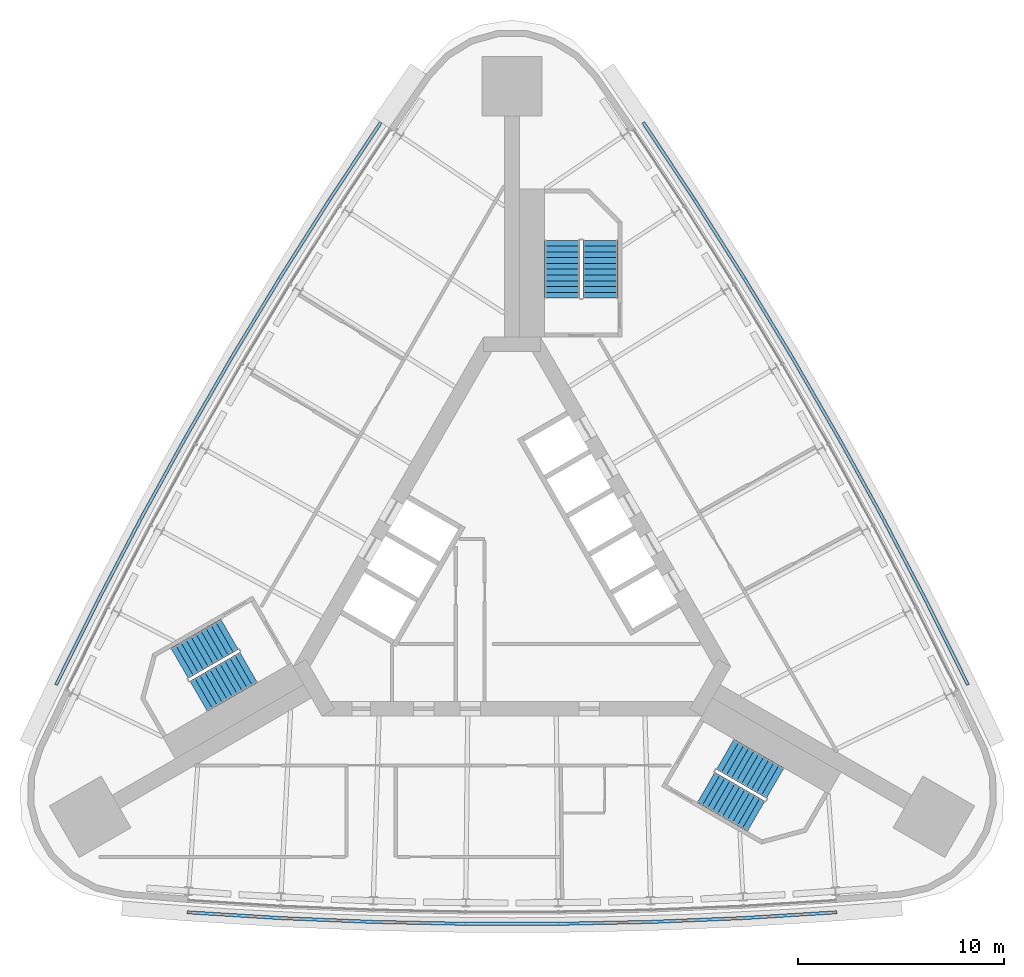
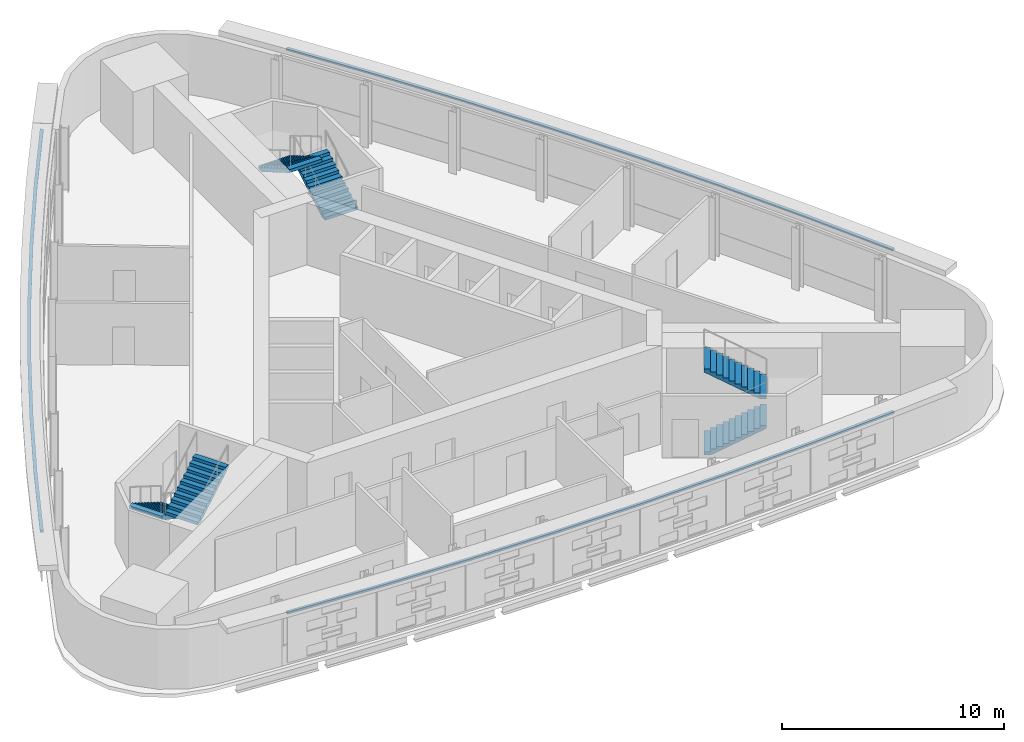
# One storey, part 10 of 12: 6 stair flights, 3 discrete accessories, 3 elements without a shape of their own.
"""IFC4 building model written with IfcOpenShell, lengths in metres."""

from ifc_helpers import new_model, si_unit, direction, frame, origin, place, context, subcontext, project, spatial, polyline, outline, extrude, material, type_object, element, aggregate, save


model = new_model("IFC4")

# Units and contexts
model_context = context("Model", 3, precision=1e-05, world=origin(), true_north=direction((0.0, 1.0)))
body_context = subcontext(model_context, "Body", "Model", "MODEL_VIEW")
ifc_project = project(units=[si_unit("LENGTHUNIT", "METRE"), si_unit("AREAUNIT", "SQUARE_METRE"), si_unit("VOLUMEUNIT", "CUBIC_METRE"), si_unit("PLANEANGLEUNIT", "RADIAN"), si_unit("MASSUNIT", "GRAM", prefix="KILO")], contexts=[model_context])

# Site, building, storey
site_placement = place(None, origin())
site = spatial("IfcSite", under=ifc_project, at=site_placement, CompositionType="ELEMENT")
building_placement = place(site_placement, origin())
building = spatial("IfcBuilding", under=site, at=building_placement, Name="Noor Cloister Tower", CompositionType="ELEMENT")
storey_placement = place(building_placement, frame((0.0, 0.0, 150.89990234375)))
storey = spatial("IfcBuildingStorey", under=building, at=storey_placement, Name="L38", CompositionType="ELEMENT", Elevation=150.89990234375)

# Stair, stair flights
ifc_material_1 = material(Name="Concrete C40/50", Category="concrete")
stair_type = type_object("IfcStairType", Name="Exit stair 22 risers", PredefinedType="HALF_TURN_STAIR", material=ifc_material_1)
stair_1_placement = place(storey_placement, origin())
stair_1 = element("IfcStair", 1, at=stair_1_placement, inside=storey, type_object=stair_type, Name="Exit stair ST1 L38", PredefinedType="HALF_TURN_STAIR")
ifc_material_2 = material(Name="Concrete C40/50", Category="concrete")
stair_flight_type = type_object("IfcStairFlightType", Name="Exit stair flight", PredefinedType="STRAIGHT", material=ifc_material_2)
stair_flight_1_placement = place(storey_placement, frame((4.28564453125, 13.3564453125, 0.0), z_axis=(0.0, 0.0, 1.0), x_axis=(0.0, 1.0, 0.0)))
stair_flight_1 = element("IfcStairFlight", 2, at=stair_flight_1_placement, type_object=stair_flight_type, Name="ST1 flight 1", NumberOfRisers=11, NumberOfTreads=10, PredefinedType="STRAIGHT", RiserHeight=0.163636364, TreadLength=0.28, context=body_context, shape_type="SweptSolid", body=[
    extrude(outline(polyline([(0.0, 0.0), (0.0, 0.16357421875), (0.280029296875, 0.16357421875), (0.280029296875, 0.327392578125), (0.56005859375, 0.327392578125), (0.56005859375, 0.490966796875), (0.840087890625, 0.490966796875), (0.840087890625, 0.654541015625), (1.1201171875, 0.654541015625), (1.1201171875, 0.818115234375), (1.39990234375, 0.818115234375), (1.39990234375, 0.98193359375), (1.679931640625, 0.98193359375), (1.679931640625, 1.1455078125), (1.9599609375, 1.1455078125), (1.9599609375, 1.30908203125), (2.239990234375, 1.30908203125), (2.239990234375, 1.47265625), (2.52001953125, 1.47265625), (2.52001953125, 1.636474609375), (2.800048828125, 1.636474609375), (2.800048828125, 1.800048828125), (2.800048828125, 1.462646484375), (0.297119140625, 0.0), (0.0, 0.0)])), frame((0.0, 0.85009765625, 0.0), z_axis=(0.0, -1.0, 0.0), x_axis=(1.0, 0.0, 0.0)), (0.0, 0.0, 1.0), 1.699951171875),
])
stair_flight_2_placement = place(storey_placement, frame((2.435546875, 16.156494140625, 1.800048828125), z_axis=(0.0, 0.0, 1.0), x_axis=(0.0, -1.0, 0.0)))
stair_flight_2 = element("IfcStairFlight", 3, at=stair_flight_2_placement, type_object=stair_flight_type, Name="ST1 flight 2", NumberOfRisers=11, NumberOfTreads=10, PredefinedType="STRAIGHT", RiserHeight=0.163636364, TreadLength=0.28, context=body_context, shape_type="SweptSolid", body=[
    extrude(outline(polyline([(0.0, 0.0), (0.0, 0.16357421875), (0.280029296875, 0.16357421875), (0.280029296875, 0.327392578125), (0.56005859375, 0.327392578125), (0.56005859375, 0.490966796875), (0.840087890625, 0.490966796875), (0.840087890625, 0.654541015625), (1.1201171875, 0.654541015625), (1.1201171875, 0.818115234375), (1.39990234375, 0.818115234375), (1.39990234375, 0.98193359375), (1.679931640625, 0.98193359375), (1.679931640625, 1.1455078125), (1.9599609375, 1.1455078125), (1.9599609375, 1.30908203125), (2.239990234375, 1.30908203125), (2.239990234375, 1.47265625), (2.52001953125, 1.47265625), (2.52001953125, 1.636474609375), (2.800048828125, 1.636474609375), (2.800048828125, 1.800048828125), (2.800048828125, 1.462646484375), (0.297119140625, 0.0), (0.0, 0.0)])), frame((0.0, 0.85009765625, 0.0), z_axis=(0.0, -1.0, 0.0), x_axis=(1.0, 0.0, 0.0)), (0.0, 0.0, 1.0), 1.699951171875),
])
aggregate(stair_1, [stair_flight_1, stair_flight_2])

stair_2_placement = place(storey_placement, origin())
stair_2 = element("IfcStair", 4, at=stair_2_placement, inside=storey, type_object=stair_type, Name="Exit stair ST2 L38", PredefinedType="HALF_TURN_STAIR")
stair_flight_3_placement = place(storey_placement, frame((-13.709716796875, -2.966796875, 0.0), z_axis=(0.0, 0.0, 1.0), x_axis=(-0.866025403784, -0.5, 0.0)))
stair_flight_3 = element("IfcStairFlight", 5, at=stair_flight_3_placement, type_object=stair_flight_type, Name="ST2 flight 1", NumberOfRisers=11, NumberOfTreads=10, PredefinedType="STRAIGHT", RiserHeight=0.163636364, TreadLength=0.28, context=body_context, shape_type="SweptSolid", body=[
    extrude(outline(polyline([(0.0, 0.0), (0.0, 0.16357421875), (0.280029296875, 0.16357421875), (0.280029296875, 0.327392578125), (0.56005859375, 0.327392578125), (0.56005859375, 0.490966796875), (0.840087890625, 0.490966796875), (0.840087890625, 0.654541015625), (1.1201171875, 0.654541015625), (1.1201171875, 0.818115234375), (1.39990234375, 0.818115234375), (1.39990234375, 0.98193359375), (1.679931640625, 0.98193359375), (1.679931640625, 1.1455078125), (1.9599609375, 1.1455078125), (1.9599609375, 1.30908203125), (2.239990234375, 1.30908203125), (2.239990234375, 1.47265625), (2.52001953125, 1.47265625), (2.52001953125, 1.636474609375), (2.800048828125, 1.636474609375), (2.800048828125, 1.800048828125), (2.800048828125, 1.462646484375), (0.297119140625, 0.0), (0.0, 0.0)])), frame((0.0, 0.85009765625, 0.0), z_axis=(0.0, -1.0, 0.0), x_axis=(1.0, 0.0, 0.0)), (0.0, 0.0, 1.0), 1.699951171875),
])
stair_flight_4_placement = place(storey_placement, frame((-15.209716796875, -5.968994140625, 1.800048828125), z_axis=(0.0, 0.0, 1.0), x_axis=(0.866025403784, 0.5, 0.0)))
stair_flight_4 = element("IfcStairFlight", 6, at=stair_flight_4_placement, type_object=stair_flight_type, Name="ST2 flight 2", NumberOfRisers=11, NumberOfTreads=10, PredefinedType="STRAIGHT", RiserHeight=0.163636364, TreadLength=0.28, context=body_context, shape_type="SweptSolid", body=[
    extrude(outline(polyline([(0.0, 0.0), (0.0, 0.16357421875), (0.280029296875, 0.16357421875), (0.280029296875, 0.327392578125), (0.56005859375, 0.327392578125), (0.56005859375, 0.490966796875), (0.840087890625, 0.490966796875), (0.840087890625, 0.654541015625), (1.1201171875, 0.654541015625), (1.1201171875, 0.818115234375), (1.39990234375, 0.818115234375), (1.39990234375, 0.98193359375), (1.679931640625, 0.98193359375), (1.679931640625, 1.1455078125), (1.9599609375, 1.1455078125), (1.9599609375, 1.30908203125), (2.239990234375, 1.30908203125), (2.239990234375, 1.47265625), (2.52001953125, 1.47265625), (2.52001953125, 1.636474609375), (2.800048828125, 1.636474609375), (2.800048828125, 1.800048828125), (2.800048828125, 1.462646484375), (0.297119140625, 0.0), (0.0, 0.0)])), frame((0.0, 0.85009765625, 0.0), z_axis=(0.0, -1.0, 0.0), x_axis=(1.0, 0.0, 0.0)), (0.0, 0.0, 1.0), 1.699951171875),
])
aggregate(stair_2, [stair_flight_3, stair_flight_4])

stair_3_placement = place(storey_placement, origin())
stair_3 = element("IfcStair", 7, at=stair_3_placement, inside=storey, type_object=stair_type, Name="Exit stair ST3 L38", PredefinedType="HALF_TURN_STAIR")
stair_flight_5_placement = place(storey_placement, frame((9.424072265625, -10.3896484375, 0.0), z_axis=(0.0, 0.0, 1.0), x_axis=(0.866025403784, -0.5, 0.0)))
stair_flight_5 = element("IfcStairFlight", 8, at=stair_flight_5_placement, type_object=stair_flight_type, Name="ST3 flight 1", NumberOfRisers=11, NumberOfTreads=10, PredefinedType="STRAIGHT", RiserHeight=0.163636364, TreadLength=0.28, context=body_context, shape_type="SweptSolid", body=[
    extrude(outline(polyline([(0.0, 0.0), (0.0, 0.16357421875), (0.280029296875, 0.16357421875), (0.280029296875, 0.327392578125), (0.56005859375, 0.327392578125), (0.56005859375, 0.490966796875), (0.840087890625, 0.490966796875), (0.840087890625, 0.654541015625), (1.1201171875, 0.654541015625), (1.1201171875, 0.818115234375), (1.39990234375, 0.818115234375), (1.39990234375, 0.98193359375), (1.679931640625, 0.98193359375), (1.679931640625, 1.1455078125), (1.9599609375, 1.1455078125), (1.9599609375, 1.30908203125), (2.239990234375, 1.30908203125), (2.239990234375, 1.47265625), (2.52001953125, 1.47265625), (2.52001953125, 1.636474609375), (2.800048828125, 1.636474609375), (2.800048828125, 1.800048828125), (2.800048828125, 1.462646484375), (0.297119140625, 0.0), (0.0, 0.0)])), frame((0.0, 0.85009765625, 0.0), z_axis=(0.0, -1.0, 0.0), x_axis=(1.0, 0.0, 0.0)), (0.0, 0.0, 1.0), 1.699951171875),
])
stair_flight_6_placement = place(storey_placement, frame((12.77392578125, -10.1875, 1.800048828125), z_axis=(0.0, 0.0, 1.0), x_axis=(-0.866025403784, 0.5, 0.0)))
stair_flight_6 = element("IfcStairFlight", 9, at=stair_flight_6_placement, type_object=stair_flight_type, Name="ST3 flight 2", NumberOfRisers=11, NumberOfTreads=10, PredefinedType="STRAIGHT", RiserHeight=0.163636364, TreadLength=0.28, context=body_context, shape_type="SweptSolid", body=[
    extrude(outline(polyline([(0.0, 0.0), (0.0, 0.16357421875), (0.280029296875, 0.16357421875), (0.280029296875, 0.327392578125), (0.56005859375, 0.327392578125), (0.56005859375, 0.490966796875), (0.840087890625, 0.490966796875), (0.840087890625, 0.654541015625), (1.1201171875, 0.654541015625), (1.1201171875, 0.818115234375), (1.39990234375, 0.818115234375), (1.39990234375, 0.98193359375), (1.679931640625, 0.98193359375), (1.679931640625, 1.1455078125), (1.9599609375, 1.1455078125), (1.9599609375, 1.30908203125), (2.239990234375, 1.30908203125), (2.239990234375, 1.47265625), (2.52001953125, 1.47265625), (2.52001953125, 1.636474609375), (2.800048828125, 1.636474609375), (2.800048828125, 1.800048828125), (2.800048828125, 1.462646484375), (0.297119140625, 0.0), (0.0, 0.0)])), frame((0.0, 0.85009765625, 0.0), z_axis=(0.0, -1.0, 0.0), x_axis=(1.0, 0.0, 0.0)), (0.0, 0.0, 1.0), 1.699951171875),
])
aggregate(stair_3, [stair_flight_5, stair_flight_6])

# Discrete accessories
ifc_material_3 = material(Name="Stainless steel grade 316", Category="steel")
discrete_accessory_type = type_object("IfcDiscreteAccessoryType", Name="Stainless hanger rail", PredefinedType="BRACKET", material=ifc_material_3)
discrete_accessory_1_placement = place(storey_placement, frame((0.0, 0.0, 3.2001953125)))
element("IfcDiscreteAccessory", 10, at=discrete_accessory_1_placement, inside=storey, type_object=discrete_accessory_type, Name="Hanger rail L38", PredefinedType="BRACKET", context=body_context, shape_type="SweptSolid", body=[
    extrude(outline(polyline([(-6.434326171875, 21.925537109375), (-8.92529296875, 18.171142578125), (-11.341064453125, 14.36083984375), (-13.67724609375, 10.501220703125), (-15.93310546875, 6.59423828125), (-18.107421875, 2.64111328125), (-20.19921875, -1.35595703125), (-22.205322265625, -5.390625), (-22.06201171875, -5.4619140625), (-20.056640625, -1.4287109375), (-17.96630859375, 2.5654296875), (-15.793701171875, 6.515625), (-13.53955078125, 10.419921875), (-11.205078125, 14.276611328125), (-8.791015625, 18.083984375), (-6.301025390625, 21.837158203125), (-6.434326171875, 21.925537109375)])), origin(), (0.0, 0.0, 1.0), 0.099853515625),
])
discrete_accessory_2_placement = place(storey_placement, frame((0.0, 0.0, 3.2001953125)))
element("IfcDiscreteAccessory", 11, at=discrete_accessory_2_placement, inside=storey, type_object=discrete_accessory_type, Name="Hanger rail L38", PredefinedType="BRACKET", context=body_context, shape_type="SweptSolid", body=[
    extrude(outline(polyline([(-15.77099609375, -16.534912109375), (-11.27392578125, -16.81494140625), (-6.766357421875, -17.001953125), (-2.255859375, -17.095458984375), (2.255859375, -17.095458984375), (6.766357421875, -17.001953125), (11.27392578125, -16.81494140625), (15.77099609375, -16.534912109375), (15.760986328125, -16.375244140625), (11.265625, -16.6552734375), (6.76123046875, -16.842041015625), (2.254150390625, -16.935546875), (-2.254150390625, -16.935546875), (-6.76123046875, -16.842041015625), (-11.265625, -16.6552734375), (-15.760986328125, -16.375244140625), (-15.77099609375, -16.534912109375)])), origin(), (0.0, 0.0, 1.0), 0.099853515625),
])
discrete_accessory_3_placement = place(storey_placement, frame((0.0, 0.0, 3.2001953125)))
element("IfcDiscreteAccessory", 12, at=discrete_accessory_3_placement, inside=storey, type_object=discrete_accessory_type, Name="Hanger rail L38", PredefinedType="BRACKET", context=body_context, shape_type="SweptSolid", body=[
    extrude(outline(polyline([(22.205322265625, -5.390625), (20.19921875, -1.35595703125), (18.107421875, 2.64111328125), (15.93310546875, 6.59423828125), (13.67724609375, 10.501220703125), (11.341064453125, 14.36083984375), (8.92529296875, 18.171142578125), (6.434326171875, 21.925537109375), (6.301025390625, 21.837158203125), (8.791015625, 18.083984375), (11.205078125, 14.276611328125), (13.53955078125, 10.419921875), (15.793701171875, 6.515625), (17.96630859375, 2.5654296875), (20.056640625, -1.4287109375), (22.06201171875, -5.4619140625), (22.205322265625, -5.390625)])), origin(), (0.0, 0.0, 1.0), 0.099853515625),
])

save(model, "model.ifc")
